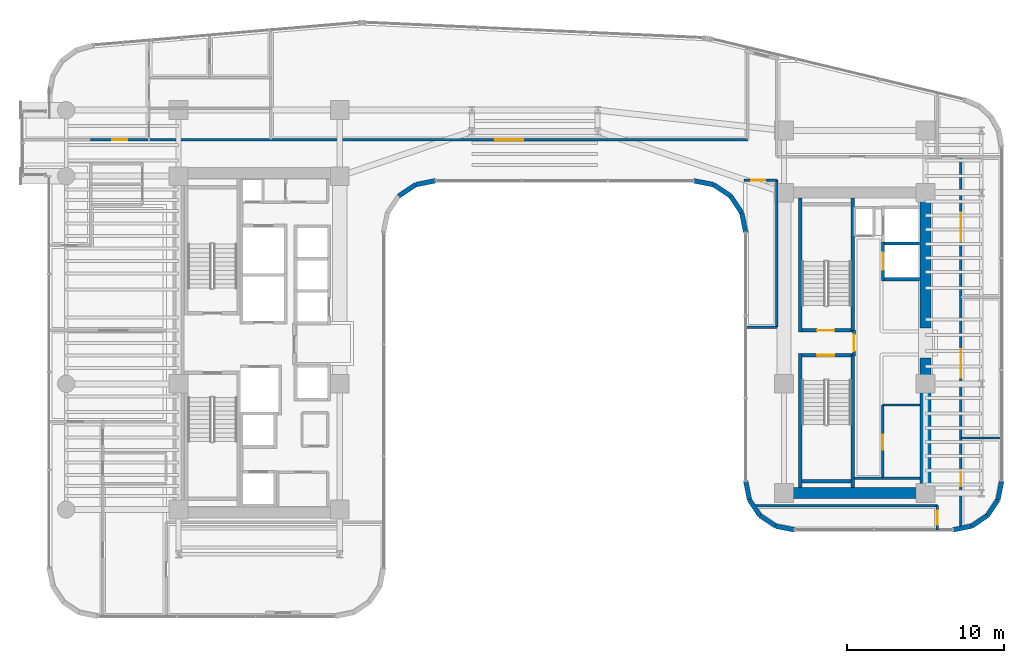
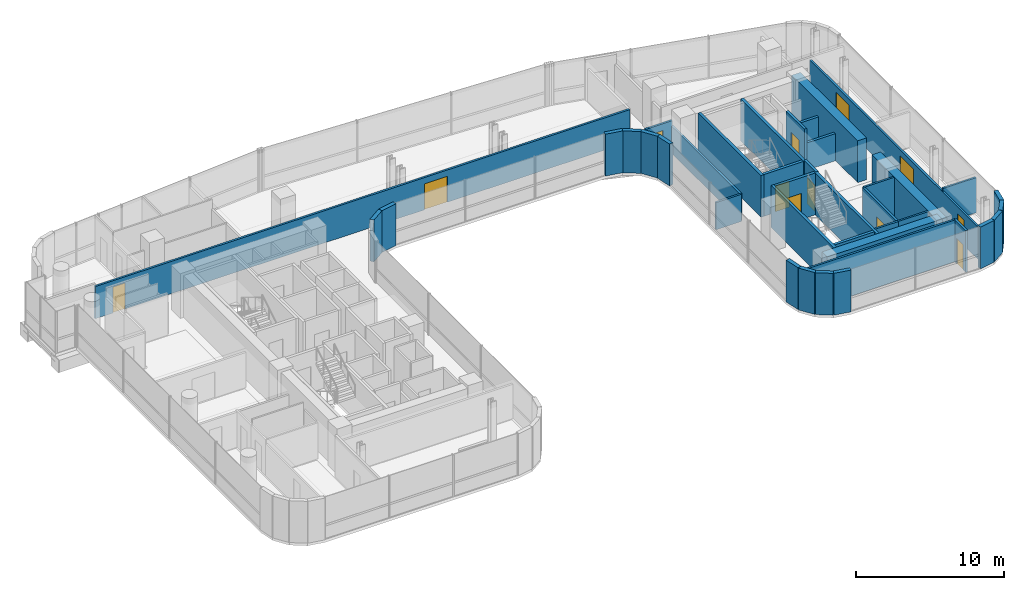
# One storey, part 29 of 35: 40 walls, 12 doors, 12 openings.
"""IFC4 building model written with IfcOpenShell, lengths in metres."""

from ifc_helpers import new_model, si_unit, direction, frame, frame_2d, origin, place, context, subcontext, project, spatial, rectangle, extrude, material, layer, layer_set, type_object, element, fill, save


model = new_model("IFC4")

# Units and contexts
model_context = context("Model", 3, precision=1e-05, world=origin(), true_north=direction((0.0, 1.0)))
body_context = subcontext(model_context, "Body", "Model", "MODEL_VIEW")
ifc_project = project(units=[si_unit("LENGTHUNIT", "METRE"), si_unit("AREAUNIT", "SQUARE_METRE"), si_unit("VOLUMEUNIT", "CUBIC_METRE"), si_unit("PLANEANGLEUNIT", "RADIAN"), si_unit("MASSUNIT", "GRAM", prefix="KILO")], contexts=[model_context])

# Site, building, storey
site_placement = place(None, origin())
site = spatial("IfcSite", under=ifc_project, at=site_placement, CompositionType="ELEMENT")
building_placement = place(site_placement, origin())
building = spatial("IfcBuilding", under=site, at=building_placement, Name="Valdorenza Pilgrim Sanctuary Tower", CompositionType="ELEMENT")
storey_placement = place(building_placement, frame((0.0, 0.0, 150.10009765625)))
storey = spatial("IfcBuildingStorey", under=building, at=storey_placement, Name="L38", CompositionType="ELEMENT", Elevation=150.10009765625)

# Wall
ifc_material_1 = material(Name="Acoustic twin-stud gypsum partition", Category="gypsum")
ifc_layer_1 = layer(ifc_material_1, 0.159912109375, Name="Acoustic twin-stud gypsum partition")
ifc_layer_set_1 = layer_set([ifc_layer_1], Name="Acoustic twin-stud gypsum partition")
wall_type_1 = type_object("IfcWallType", Name="WAL-COR-160", PredefinedType="PARTITIONING", material=ifc_layer_set_1)
wall_1_placement = place(storey_placement, frame((20.300048828125, -8.60009765625, 0.0), z_axis=(0.0, 0.0, 1.0), x_axis=(1.0, 0.0, 0.0)))
element("IfcWall", 1, at=wall_1_placement, inside=storey, type_object=wall_type_1, Name="L38 Core B Lift Hall South End Wall", PredefinedType="PARTITIONING", context=body_context, shape_type="SweptSolid", body=[
    extrude(rectangle(XDim=1.820068359375, YDim=0.159912109375, at=frame_2d((0.91015625, 0.0))), origin(), (0.0, 0.0, 1.0), 3.4599609375),
])

# Wall, opening, door
wall_2_placement = place(storey_placement, frame((22.1201171875, -8.60009765625, 0.0), z_axis=(0.0, 0.0, 1.0), x_axis=(0.0, 1.0, 0.0)))
wall_2 = element("IfcWall", 2, at=wall_2_placement, inside=storey, type_object=wall_type_1, Name="L38 Core B Freed Shaft West Wall", PredefinedType="PARTITIONING", context=body_context, shape_type="SweptSolid", body=[
    extrude(rectangle(XDim=4.650146484375, YDim=0.159912109375, at=frame_2d((2.3251953125, 0.0))), origin(), (0.0, 0.0, 1.0), 3.4599609375),
])
opening_1_placement = place(wall_2_placement, frame((1.800048828125, 0.0, 0.0)))
opening_1 = element("IfcOpeningElement", 3, at=opening_1_placement, cuts=wall_2, Name="Opening DR-UN1", PredefinedType="OPENING", context=body_context, shape_type="SweptSolid", body=[
    extrude(rectangle(XDim=0.949951171875, YDim=2.14990234375, at=frame_2d((0.47509765625, 1.074951171875))), frame((0.0, 0.0947265625, 0.0), z_axis=(0.0, -1.0, 0.0), x_axis=(1.0, 0.0, 0.0)), (0.0, 0.0, 1.0), 0.189697265625),
])
ifc_material_2 = material(Name="Solid-core European oak timber", Category="wood")
door_type_1 = type_object("IfcDoorType", Name="DR-UNIT-950", OperationType="NOTDEFINED", PredefinedType="DOOR", material=ifc_material_2)
door_1_placement = place(opening_1_placement, origin())
door_1 = element("IfcDoor", 4, at=door_1_placement, inside=storey, type_object=door_type_1, Name="L38 East Core Linen Store Door", OperationType="SINGLE_SWING_RIGHT", OverallHeight=2.14990234375, OverallWidth=0.949951171875, PredefinedType="DOOR", context=body_context, shape_type="SweptSolid", body=[
    extrude(rectangle(XDim=0.949951171875, YDim=2.14990234375, at=frame_2d((0.47509765625, 1.074951171875))), frame((0.0, 0.02490234375, 0.0), z_axis=(0.0, -1.0, 0.0), x_axis=(1.0, 0.0, 0.0)), (0.0, 0.0, 1.0), 0.050048828125),
])
fill(opening_1, door_1)

# Wall, openings, doors
wall_3_placement = place(storey_placement, frame((-28.25, 12.919921875, 0.0), z_axis=(0.0, 0.0, 1.0), x_axis=(1.0, 0.0, 0.0)))
wall_3 = element("IfcWall", 5, at=wall_3_placement, inside=storey, type_object=wall_type_1, Name="L38 North Corridor Wall", PredefinedType="PARTITIONING", context=body_context, shape_type="SweptSolid", body=[
    extrude(rectangle(XDim=41.800048828125, YDim=0.159912109375, at=frame_2d((20.89990234375, 0.0))), origin(), (0.0, 0.0, 1.0), 2.666015625),
])
opening_2_placement = place(wall_3_placement, frame((1.383056640625, 0.0, 0.0)))
opening_2 = element("IfcOpeningElement", 6, at=opening_2_placement, cuts=wall_3, Name="Opening DR-UN1", PredefinedType="OPENING", context=body_context, shape_type="SweptSolid", body=[
    extrude(rectangle(XDim=0.949951171875, YDim=2.14990234375, at=frame_2d((0.47509765625, 1.074951171875))), frame((0.0, 0.0947265625, 0.0), z_axis=(0.0, -1.0, 0.0), x_axis=(1.0, 0.0, 0.0)), (0.0, 0.0, 1.0), 0.189697265625),
])
opening_3_placement = place(wall_3_placement, frame((25.72509765625, 0.0, 0.0)))
opening_3 = element("IfcOpeningElement", 7, at=opening_3_placement, cuts=wall_3, Name="Opening DR-HL1", PredefinedType="OPENING", context=body_context, shape_type="SweptSolid", body=[
    extrude(rectangle(XDim=1.800048828125, YDim=2.14990234375, at=frame_2d((0.89990234375, 1.074951171875))), frame((0.0, 0.0947265625, 0.0), z_axis=(0.0, -1.0, 0.0), x_axis=(1.0, 0.0, 0.0)), (0.0, 0.0, 1.0), 0.189697265625),
])
ifc_material_3 = material(Name="Acoustic oak and vision-glass double door", Category="glass")
door_type_2 = type_object("IfcDoorType", Name="DR-HALL-1800", OperationType="NOTDEFINED", PredefinedType="DOOR", material=ifc_material_3)
door_2_placement = place(opening_3_placement, frame((1.800048828125, 0.0, 0.0), z_axis=(0.0, 0.0, 1.0), x_axis=(-1.0, 0.0, 0.0)))
door_2 = element("IfcDoor", 8, at=door_2_placement, inside=storey, type_object=door_type_2, Name="L38 Sacred Archive Reading Library L38-N2 Door", OperationType="DOUBLE_DOOR_SINGLE_SWING", OverallHeight=2.14990234375, OverallWidth=1.800048828125, PredefinedType="DOOR", context=body_context, shape_type="SweptSolid", body=[
    extrude(rectangle(XDim=1.800048828125, YDim=2.14990234375, at=frame_2d((0.89990234375, 1.074951171875))), frame((0.0, 0.02490234375, 0.0), z_axis=(0.0, -1.0, 0.0), x_axis=(1.0, 0.0, 0.0)), (0.0, 0.0, 1.0), 0.050048828125),
])
fill(opening_3, door_2)
door_3_placement = place(opening_2_placement, origin())
door_3 = element("IfcDoor", 9, at=door_3_placement, inside=storey, type_object=door_type_1, Name="L38 North Grand Residence L38-N1 Entrance Door", OperationType="SINGLE_SWING_RIGHT", OverallHeight=2.14990234375, OverallWidth=0.949951171875, PredefinedType="DOOR", context=body_context, shape_type="SweptSolid", body=[
    extrude(rectangle(XDim=0.949951171875, YDim=2.14990234375, at=frame_2d((0.47509765625, 1.074951171875))), frame((0.0, 0.02490234375, 0.0), z_axis=(0.0, -1.0, 0.0), x_axis=(1.0, 0.0, 0.0)), (0.0, 0.0, 1.0), 0.050048828125),
])
fill(opening_2, door_3)

# Wall, opening, door
wall_4_placement = place(storey_placement, frame((25.60009765625, -11.889892578125, 0.0), z_axis=(0.0, 0.0, 1.0), x_axis=(0.0, 1.0, 0.0)))
wall_4 = element("IfcWall", 10, at=wall_4_placement, inside=storey, type_object=wall_type_1, Name="L38 Wing B South-East Wall", PredefinedType="PARTITIONING", context=body_context, shape_type="SweptSolid", body=[
    extrude(rectangle(XDim=1.539794921875, YDim=0.159912109375, at=frame_2d((0.77001953125, 0.0))), origin(), (0.0, 0.0, 1.0), 3.4599609375),
])
opening_4_placement = place(wall_4_placement, frame((0.320068359375, 0.0, 0.0)))
opening_4 = element("IfcOpeningElement", 11, at=opening_4_placement, cuts=wall_4, Name="Opening DR-RM1", PredefinedType="OPENING", context=body_context, shape_type="SweptSolid", body=[
    extrude(rectangle(XDim=0.89990234375, YDim=2.10009765625, at=frame_2d((0.449951171875, 1.050048828125))), frame((0.0, 0.0947265625, 0.0), z_axis=(0.0, -1.0, 0.0), x_axis=(1.0, 0.0, 0.0)), (0.0, 0.0, 1.0), 0.189697265625),
])
door_type_3 = type_object("IfcDoorType", Name="DR-ROOM-900", OperationType="NOTDEFINED", PredefinedType="DOOR", material=ifc_material_2)
door_4_placement = place(opening_4_placement, frame((0.89990234375, 0.0, 0.0), z_axis=(0.0, 0.0, 1.0), x_axis=(-1.0, 0.0, 0.0)))
door_4 = element("IfcDoor", 12, at=door_4_placement, inside=storey, type_object=door_type_3, Name="L38 Sacred Manuscript Archive L38-BS Door", OperationType="SINGLE_SWING_LEFT", OverallHeight=2.10009765625, OverallWidth=0.89990234375, PredefinedType="DOOR", context=body_context, shape_type="SweptSolid", body=[
    extrude(rectangle(XDim=0.89990234375, YDim=2.10009765625, at=frame_2d((0.449951171875, 1.050048828125))), frame((0.0, 0.02490234375, 0.0), z_axis=(0.0, -1.0, 0.0), x_axis=(1.0, 0.0, 0.0)), (0.0, 0.0, 1.0), 0.050048828125),
])
fill(opening_4, door_4)

# Wall
wall_5_placement = place(storey_placement, frame((14.043701171875, -10.35009765625, 0.0), z_axis=(0.0, 0.0, 1.0), x_axis=(1.0, 0.0, 0.0)))
element("IfcWall", 13, at=wall_5_placement, inside=storey, type_object=wall_type_1, Name="L38 Wing B South Closure", PredefinedType="PARTITIONING", context=body_context, shape_type="SweptSolid", body=[
    extrude(rectangle(XDim=11.556396484375, YDim=0.159912109375, at=frame_2d((5.7783203125, 0.0))), origin(), (0.0, 0.0, 1.0), 3.4599609375),
])

# Wall, openings, doors
wall_6_placement = place(storey_placement, frame((27.10009765625, -11.660888671875, 0.0), z_axis=(0.0, 0.0, 1.0), x_axis=(0.0, 1.0, 0.0)))
wall_6 = element("IfcWall", 14, at=wall_6_placement, inside=storey, type_object=wall_type_1, Name="L38 Wing B East Corridor Wall", PredefinedType="PARTITIONING", context=body_context, shape_type="SweptSolid", body=[
    extrude(rectangle(XDim=23.510986328125, YDim=0.159912109375, at=frame_2d((11.75537109375, 0.0))), origin(), (0.0, 0.0, 1.0), 2.666015625),
])
opening_5_placement = place(wall_6_placement, frame((2.56005859375, 0.0, 0.0)))
opening_5 = element("IfcOpeningElement", 15, at=opening_5_placement, cuts=wall_6, Name="Opening DR-RM1", PredefinedType="OPENING", context=body_context, shape_type="SweptSolid", body=[
    extrude(rectangle(XDim=0.89990234375, YDim=2.10009765625, at=frame_2d((0.449951171875, 1.050048828125))), frame((0.0, 0.0947265625, 0.0), z_axis=(0.0, -1.0, 0.0), x_axis=(1.0, 0.0, 0.0)), (0.0, 0.0, 1.0), 0.189697265625),
])
opening_6_placement = place(wall_6_placement, frame((9.450927734375, 0.0, 0.0)))
opening_6 = element("IfcOpeningElement", 16, at=opening_6_placement, cuts=wall_6, Name="Opening DR-HL1", PredefinedType="OPENING", context=body_context, shape_type="SweptSolid", body=[
    extrude(rectangle(XDim=1.800048828125, YDim=2.14990234375, at=frame_2d((0.89990234375, 1.074951171875))), frame((0.0, 0.0947265625, 0.0), z_axis=(0.0, -1.0, 0.0), x_axis=(1.0, 0.0, 0.0)), (0.0, 0.0, 1.0), 0.189697265625),
])
opening_7_placement = place(wall_6_placement, frame((18.135986328125, 0.0, 0.0)))
opening_7 = element("IfcOpeningElement", 17, at=opening_7_placement, cuts=wall_6, Name="Opening DR-HL1", PredefinedType="OPENING", context=body_context, shape_type="SweptSolid", body=[
    extrude(rectangle(XDim=1.800048828125, YDim=2.14990234375, at=frame_2d((0.89990234375, 1.074951171875))), frame((0.0, 0.0947265625, 0.0), z_axis=(0.0, -1.0, 0.0), x_axis=(1.0, 0.0, 0.0)), (0.0, 0.0, 1.0), 0.189697265625),
])
door_5_placement = place(opening_6_placement, origin())
door_5 = element("IfcDoor", 18, at=door_5_placement, inside=storey, type_object=door_type_2, Name="L38 East Reading Lounge L38-EB2 Door", OperationType="DOUBLE_DOOR_SINGLE_SWING", OverallHeight=2.14990234375, OverallWidth=1.800048828125, PredefinedType="DOOR", context=body_context, shape_type="SweptSolid", body=[
    extrude(rectangle(XDim=1.800048828125, YDim=2.14990234375, at=frame_2d((0.89990234375, 1.074951171875))), frame((0.0, 0.02490234375, 0.0), z_axis=(0.0, -1.0, 0.0), x_axis=(1.0, 0.0, 0.0)), (0.0, 0.0, 1.0), 0.050048828125),
])
fill(opening_6, door_5)
door_6_placement = place(opening_7_placement, frame((1.800048828125, 0.0, 0.0), z_axis=(0.0, 0.0, 1.0), x_axis=(-1.0, 0.0, 0.0)))
door_6 = element("IfcDoor", 19, at=door_6_placement, inside=storey, type_object=door_type_2, Name="L38 East Reading Lounge L38-EB3 Door", OperationType="DOUBLE_DOOR_SINGLE_SWING", OverallHeight=2.14990234375, OverallWidth=1.800048828125, PredefinedType="DOOR", context=body_context, shape_type="SweptSolid", body=[
    extrude(rectangle(XDim=1.800048828125, YDim=2.14990234375, at=frame_2d((0.89990234375, 1.074951171875))), frame((0.0, 0.02490234375, 0.0), z_axis=(0.0, -1.0, 0.0), x_axis=(1.0, 0.0, 0.0)), (0.0, 0.0, 1.0), 0.050048828125),
])
fill(opening_7, door_6)
door_7_placement = place(opening_5_placement, frame((0.89990234375, 0.0, 0.0), z_axis=(0.0, 0.0, 1.0), x_axis=(-1.0, 0.0, 0.0)))
door_7 = element("IfcDoor", 20, at=door_7_placement, inside=storey, type_object=door_type_3, Name="L38 East Reading Lounge L38-EB1 Door", OperationType="SINGLE_SWING_LEFT", OverallHeight=2.10009765625, OverallWidth=0.89990234375, PredefinedType="DOOR", context=body_context, shape_type="SweptSolid", body=[
    extrude(rectangle(XDim=0.89990234375, YDim=2.10009765625, at=frame_2d((0.449951171875, 1.050048828125))), frame((0.0, 0.02490234375, 0.0), z_axis=(0.0, -1.0, 0.0), x_axis=(1.0, 0.0, 0.0)), (0.0, 0.0, 1.0), 0.050048828125),
])
fill(opening_5, door_7)

# Wall, opening, door
wall_7_placement = place(storey_placement, frame((13.300048828125, 10.35009765625, 0.0), z_axis=(0.0, 0.0, 1.0), x_axis=(1.0, 0.0, 0.0)))
wall_7 = element("IfcWall", 21, at=wall_7_placement, inside=storey, type_object=wall_type_1, Name="L38 Courtyard Overlook North Wall", PredefinedType="PARTITIONING", context=body_context, shape_type="SweptSolid", body=[
    extrude(rectangle(XDim=2.099853515625, YDim=0.159912109375, at=frame_2d((1.0498046875, 0.0))), origin(), (0.0, 0.0, 1.0), 2.666015625),
])
opening_8_placement = place(wall_7_placement, frame((0.449951171875, 0.0, 0.0)))
opening_8 = element("IfcOpeningElement", 22, at=opening_8_placement, cuts=wall_7, Name="Opening DR-RM1", PredefinedType="OPENING", context=body_context, shape_type="SweptSolid", body=[
    extrude(rectangle(XDim=0.89990234375, YDim=2.10009765625, at=frame_2d((0.449951171875, 1.050048828125))), frame((0.0, 0.0947265625, 0.0), z_axis=(0.0, -1.0, 0.0), x_axis=(1.0, 0.0, 0.0)), (0.0, 0.0, 1.0), 0.189697265625),
])
door_8_placement = place(opening_8_placement, origin())
door_8 = element("IfcDoor", 23, at=door_8_placement, inside=storey, type_object=door_type_3, Name="L38 Courtyard Overlook Salon Door", OperationType="SINGLE_SWING_RIGHT", OverallHeight=2.10009765625, OverallWidth=0.89990234375, PredefinedType="DOOR", context=body_context, shape_type="SweptSolid", body=[
    extrude(rectangle(XDim=0.89990234375, YDim=2.10009765625, at=frame_2d((0.449951171875, 1.050048828125))), frame((0.0, 0.02490234375, 0.0), z_axis=(0.0, -1.0, 0.0), x_axis=(1.0, 0.0, 0.0)), (0.0, 0.0, 1.0), 0.050048828125),
])
fill(opening_8, door_8)

# Walls
wall_8_placement = place(storey_placement, frame((15.39990234375, 1.0, 0.0), z_axis=(0.0, 0.0, 1.0), x_axis=(0.0, 1.0, 0.0)))
element("IfcWall", 24, at=wall_8_placement, inside=storey, type_object=wall_type_1, Name="L38 Courtyard Overlook East Wall", PredefinedType="PARTITIONING", context=body_context, shape_type="SweptSolid", body=[
    extrude(rectangle(XDim=9.35009765625, YDim=0.159912109375, at=frame_2d((4.675048828125, 0.0))), origin(), (0.0, 0.0, 1.0), 2.244873046875),
])
wall_9_placement = place(storey_placement, frame((13.409912109375, 1.0, 0.0), z_axis=(0.0, 0.0, 1.0), x_axis=(1.0, 0.0, 0.0)))
element("IfcWall", 25, at=wall_9_placement, inside=storey, type_object=wall_type_1, Name="L38 Courtyard Overlook South Wall", PredefinedType="PARTITIONING", context=body_context, shape_type="SweptSolid", body=[
    extrude(rectangle(XDim=1.989990234375, YDim=0.159912109375, at=frame_2d((0.9951171875, 0.0))), origin(), (0.0, 0.0, 1.0), 2.244873046875),
])
ifc_material_4 = material(Name="Concrete C60/75", Category="concrete")
ifc_layer_2 = layer(ifc_material_4, 0.699951171875, Name="Concrete C60/75")
ifc_layer_set_2 = layer_set([ifc_layer_2], Name="Concrete C60/75")
wall_type_2 = type_object("IfcWallType", Name="WAL-COR-700", PredefinedType="SHEAR", material=ifc_layer_set_2)
for number, where, z_axis, x_axis, name in (
    (26, (24.85009765625, -9.89990234375, 0.0), (0.0, 0.0, 1.0), (0.0, 1.0, 0.0), "L38 Split Core B Shear Wall ES"),
    (27, (24.85009765625, 0.949951171875, 0.0), (0.0, 0.0, 1.0), (0.0, 1.0, 0.0), "L38 Split Core B Shear Wall EN"),
):
    element("IfcWall", number, at=place(storey_placement, frame(where, z_axis=z_axis, x_axis=x_axis)), inside=storey, type_object=wall_type_2, Name=name, PredefinedType="SHEAR", context=body_context, shape_type="SweptSolid", body=[
        extrude(rectangle(XDim=8.949951171875, YDim=0.699951171875, at=frame_2d((4.47509765625, 0.0))), origin(), (0.0, 0.0, 1.0), 3.4599609375),
    ])
wall_10_placement = place(storey_placement, frame((15.85009765625, -9.550048828125, 0.0), z_axis=(0.0, 0.0, 1.0), x_axis=(1.0, 0.0, 0.0)))
element("IfcWall", 28, at=wall_10_placement, inside=storey, type_object=wall_type_2, Name="L38 Split Core B Shear Wall S", PredefinedType="SHEAR", context=body_context, shape_type="SweptSolid", body=[
    extrude(rectangle(XDim=9.0, YDim=0.699951171875, at=frame_2d((4.5, 0.0))), origin(), (0.0, 0.0, 1.0), 3.4599609375),
])
ifc_material_5 = material(Name="Honed travertine limestone", Category="masonry")
ifc_layer_3 = layer(ifc_material_5, 0.300048828125, Name="Honed travertine limestone")
ifc_layer_set_3 = layer_set([ifc_layer_3], Name="Honed travertine limestone")
wall_type_3 = type_object("IfcWallType", Name="WAL-EXT-300", PredefinedType="SOLIDWALL", material=ifc_layer_set_3)
wall_11_placement = place(storey_placement, frame((29.68994140625, -8.789306640625, 0.0), z_axis=(0.0, 0.0, 1.0), x_axis=(-0.194996050505, -0.980804027463, 0.0)))
element("IfcWall", 29, at=wall_11_placement, inside=storey, type_object=wall_type_3, Name="L38 Rounded Wind-Corner Stone Pier 22", PredefinedType="SOLIDWALL", context=body_context, shape_type="SweptSolid", body=[
    extrude(rectangle(XDim=1.2158203125, YDim=0.300048828125, at=frame_2d((0.60791015625, 0.0))), origin(), (0.0, 0.0, 1.0), 3.4599609375),
])
for number, where, z_axis, x_axis, name in (
    (30, (29.452880859375, -9.981689453125, 0.0), (0.0, 0.0, 1.0), (-0.555635100982, -0.831426265255, 0.0), "L38 Rounded Wind-Corner Stone Pier 23"),
    (31, (28.783447265625, -10.9833984375, 0.0), (0.0, 0.0, 1.0), (-0.831426265255, -0.555635100982, 0.0), "L38 Rounded Wind-Corner Stone Pier 24"),
):
    element("IfcWall", number, at=place(storey_placement, frame(where, z_axis=z_axis, x_axis=x_axis)), inside=storey, type_object=wall_type_3, Name=name, PredefinedType="SOLIDWALL", context=body_context, shape_type="SweptSolid", body=[
        extrude(rectangle(XDim=1.204833984375, YDim=0.300048828125, at=frame_2d((0.6025390625, 0.0))), origin(), (0.0, 0.0, 1.0), 3.4599609375),
    ])
wall_12_placement = place(storey_placement, frame((27.78173828125, -11.65283203125, 0.0), z_axis=(0.0, 0.0, 1.0), x_axis=(-0.980811661072, -0.194957650543, 0.0)))
element("IfcWall", 32, at=wall_12_placement, inside=storey, type_object=wall_type_3, Name="L38 Rounded Wind-Corner Stone Pier 25", PredefinedType="SOLIDWALL", context=body_context, shape_type="SweptSolid", body=[
    extrude(rectangle(XDim=1.216064453125, YDim=0.300048828125, at=frame_2d((0.60791015625, 0.0))), origin(), (0.0, 0.0, 1.0), 3.4599609375),
])
wall_13_placement = place(storey_placement, frame((16.5107421875, -11.889892578125, 0.0), z_axis=(0.0, 0.0, 1.0), x_axis=(-0.980804027463, 0.194996050505, 0.0)))
element("IfcWall", 33, at=wall_13_placement, inside=storey, type_object=wall_type_3, Name="L38 Rounded Wind-Corner Stone Pier 27", PredefinedType="SOLIDWALL", context=body_context, shape_type="SweptSolid", body=[
    extrude(rectangle(XDim=1.2158203125, YDim=0.300048828125, at=frame_2d((0.60791015625, 0.0))), origin(), (0.0, 0.0, 1.0), 3.4599609375),
])
for number, where, z_axis, x_axis, name in (
    (34, (15.318359375, -11.65283203125, 0.0), (0.0, 0.0, 1.0), (-0.831426265255, 0.555635100982, 0.0), "L38 Rounded Wind-Corner Stone Pier 28"),
    (35, (14.316650390625, -10.9833984375, 0.0), (0.0, 0.0, 1.0), (-0.555635100982, 0.831426265255, 0.0), "L38 Rounded Wind-Corner Stone Pier 29"),
):
    element("IfcWall", number, at=place(storey_placement, frame(where, z_axis=z_axis, x_axis=x_axis)), inside=storey, type_object=wall_type_3, Name=name, PredefinedType="SOLIDWALL", context=body_context, shape_type="SweptSolid", body=[
        extrude(rectangle(XDim=1.204833984375, YDim=0.300048828125, at=frame_2d((0.6025390625, 0.0))), origin(), (0.0, 0.0, 1.0), 3.4599609375),
    ])
wall_14_placement = place(storey_placement, frame((13.647216796875, -9.981689453125, 0.0), z_axis=(0.0, 0.0, 1.0), x_axis=(-0.195189223115, 0.980765602568, 0.0)))
element("IfcWall", 36, at=wall_14_placement, inside=storey, type_object=wall_type_3, Name="L38 Rounded Wind-Corner Stone Pier 30", PredefinedType="SOLIDWALL", context=body_context, shape_type="SweptSolid", body=[
    extrude(rectangle(XDim=1.2158203125, YDim=0.300048828125, at=frame_2d((0.60791015625, 0.0))), origin(), (0.0, 0.0, 1.0), 3.4599609375),
])
wall_15_placement = place(storey_placement, frame((13.409912109375, 7.0107421875, 0.0), z_axis=(0.0, 0.0, 1.0), x_axis=(-0.195090163074, 0.980785312019, 0.0)))
element("IfcWall", 37, at=wall_15_placement, inside=storey, type_object=wall_type_3, Name="L38 Rounded Wind-Corner Stone Pier 32", PredefinedType="SOLIDWALL", context=body_context, shape_type="SweptSolid", body=[
    extrude(rectangle(XDim=1.281494140625, YDim=0.300048828125, at=frame_2d((0.640625, 0.0))), origin(), (0.0, 0.0, 1.0), 3.4599609375),
])
for number, where, z_axis, x_axis, name in (
    (38, (13.159912109375, 8.267578125, 0.0), (0.0, 0.0, 1.0), (-0.555615398575, 0.831439431869, 0.0), "L38 Rounded Wind-Corner Stone Pier 33"),
    (39, (12.44189453125, 9.342041015625, 0.0), (0.0, 0.0, 1.0), (-0.831439431869, 0.555615398575, 0.0), "L38 Rounded Wind-Corner Stone Pier 34"),
):
    element("IfcWall", number, at=place(storey_placement, frame(where, z_axis=z_axis, x_axis=x_axis)), inside=storey, type_object=wall_type_3, Name=name, PredefinedType="SOLIDWALL", context=body_context, shape_type="SweptSolid", body=[
        extrude(rectangle(XDim=1.292236328125, YDim=0.300048828125, at=frame_2d((0.64599609375, 0.0))), origin(), (0.0, 0.0, 1.0), 3.4599609375),
    ])
for number, where, z_axis, x_axis, name in (
    (40, (11.367431640625, 10.06005859375, 0.0), (0.0, 0.0, 1.0), (-0.980778058848, 0.195126623715, 0.0), "L38 Rounded Wind-Corner Stone Pier 35"),
    (41, (-6.310791015625, 10.31005859375, 0.0), (0.0, 0.0, 1.0), (-0.980778058848, -0.195126623715, 0.0), "L38 Rounded Wind-Corner Stone Pier 37"),
):
    element("IfcWall", number, at=place(storey_placement, frame(where, z_axis=z_axis, x_axis=x_axis)), inside=storey, type_object=wall_type_3, Name=name, PredefinedType="SOLIDWALL", context=body_context, shape_type="SweptSolid", body=[
        extrude(rectangle(XDim=1.28125, YDim=0.300048828125, at=frame_2d((0.640625, 0.0))), origin(), (0.0, 0.0, 1.0), 3.4599609375),
    ])
wall_16_placement = place(storey_placement, frame((-7.5673828125, 10.06005859375, 0.0), z_axis=(0.0, 0.0, 1.0), x_axis=(-0.831497739511, -0.555528135371, 0.0)))
element("IfcWall", 42, at=wall_16_placement, inside=storey, type_object=wall_type_3, Name="L38 Rounded Wind-Corner Stone Pier 38", PredefinedType="SOLIDWALL", context=body_context, shape_type="SweptSolid", body=[
    extrude(rectangle(XDim=1.29248046875, YDim=0.300048828125, at=frame_2d((0.646240234375, 0.0))), origin(), (0.0, 0.0, 1.0), 3.4599609375),
])

# Wall, opening, door
ifc_material_6 = material(Name="Gypsum shaftwall partition", Category="gypsum")
ifc_layer_4 = layer(ifc_material_6, 0.199951171875, Name="Gypsum shaftwall partition")
ifc_layer_set_4 = layer_set([ifc_layer_4], Name="Gypsum shaftwall partition")
wall_type_4 = type_object("IfcWallType", Name="WAL-FFL-200", PredefinedType="PARTITIONING", material=ifc_layer_set_4)
wall_17_placement = place(storey_placement, frame((20.300048828125, -0.820068359375, 0.0), z_axis=(0.0, 0.0, 1.0), x_axis=(0.0, 1.0, 0.0)))
wall_17 = element("IfcWall", 43, at=wall_17_placement, inside=storey, type_object=wall_type_4, Name="L38 Core B Firefighting Lobby East Wall", PredefinedType="PARTITIONING", context=body_context, shape_type="SweptSolid", body=[
    extrude(rectangle(XDim=1.64013671875, YDim=0.199951171875, at=frame_2d((0.820068359375, 0.0))), origin(), (0.0, 0.0, 1.0), 3.4599609375),
])
opening_9_placement = place(wall_17_placement, frame((0.294921875, 0.0, 0.0)))
opening_9 = element("IfcOpeningElement", 44, at=opening_9_placement, cuts=wall_17, Name="Opening DR-FL1", PredefinedType="OPENING", context=body_context, shape_type="SweptSolid", body=[
    extrude(rectangle(XDim=1.050048828125, YDim=2.14990234375, at=frame_2d((0.52490234375, 1.074951171875))), frame((0.0, 0.11474609375, 0.0), z_axis=(0.0, -1.0, 0.0), x_axis=(1.0, 0.0, 0.0)), (0.0, 0.0, 1.0), 0.229736328125),
])
ifc_material_7 = material(Name="Painted galvanized steel", Category="steel")
door_type_4 = type_object("IfcDoorType", Name="DR-FFL-1050", OperationType="NOTDEFINED", PredefinedType="DOOR", material=ifc_material_7)
door_9_placement = place(opening_9_placement, origin())
door_9 = element("IfcDoor", 45, at=door_9_placement, inside=storey, type_object=door_type_4, Name="L38 Core B Firefighting Lobby Door", OperationType="SINGLE_SWING_RIGHT", OverallHeight=2.14990234375, OverallWidth=1.050048828125, PredefinedType="DOOR", context=body_context, shape_type="SweptSolid", body=[
    extrude(rectangle(XDim=1.050048828125, YDim=2.14990234375, at=frame_2d((0.52490234375, 1.074951171875))), frame((0.0, 0.02490234375, 0.0), z_axis=(0.0, -1.0, 0.0), x_axis=(1.0, 0.0, 0.0)), (0.0, 0.0, 1.0), 0.050048828125),
])
fill(opening_9, door_9)

ifc_material_8 = material(Name="Autoclaved aerated concrete blockwork", Category="masonry")
ifc_layer_5 = layer(ifc_material_8, 0.199951171875, Name="Autoclaved aerated concrete blockwork")
ifc_layer_set_5 = layer_set([ifc_layer_5], Name="Autoclaved aerated concrete blockwork")
wall_type_5 = type_object("IfcWallType", Name="WAL-SHF-200", PredefinedType="MOVABLE", material=ifc_layer_set_5)
wall_18_placement = place(storey_placement, frame((22.14990234375, 3.949951171875, 0.0), z_axis=(0.0, 0.0, 1.0), x_axis=(0.0, 1.0, 0.0)))
wall_18 = element("IfcWall", 46, at=wall_18_placement, inside=storey, type_object=wall_type_5, Name="L38 Lift PL-07 Hoistway Wall West", PredefinedType="MOVABLE", context=body_context, shape_type="SweptSolid", body=[
    extrude(rectangle(XDim=2.47509765625, YDim=0.199951171875, at=frame_2d((1.237548828125, 0.0))), origin(), (0.0, 0.0, 1.0), 3.4599609375),
])
opening_10_placement = place(wall_18_placement, frame((0.6875, 0.0, 0.0)))
opening_10 = element("IfcOpeningElement", 47, at=opening_10_placement, cuts=wall_18, Name="Opening LD-01", PredefinedType="OPENING", context=body_context, shape_type="SweptSolid", body=[
    extrude(rectangle(XDim=1.10009765625, YDim=2.10009765625, at=frame_2d((0.550048828125, 1.050048828125))), frame((0.0, 0.11474609375, 0.0), z_axis=(0.0, -1.0, 0.0), x_axis=(1.0, 0.0, 0.0)), (0.0, 0.0, 1.0), 0.229736328125),
])
ifc_material_9 = material(Name="Brushed stainless steel Grade 316", Category="steel")
door_type_5 = type_object("IfcDoorType", Name="DR-LFT-1100", OperationType="DOUBLE_DOOR_SLIDING", PredefinedType="DOOR", material=ifc_material_9)
door_10_placement = place(opening_10_placement, origin())
door_10 = element("IfcDoor", 48, at=door_10_placement, inside=storey, type_object=door_type_5, Name="L38 Lift PL-07 Sliding Landing Door", OperationType="DOUBLE_DOOR_SLIDING", OverallHeight=2.10009765625, OverallWidth=1.10009765625, PredefinedType="DOOR", context=body_context, shape_type="SweptSolid", body=[
    extrude(rectangle(XDim=1.10009765625, YDim=2.10009765625, at=frame_2d((0.550048828125, 1.050048828125))), frame((0.0, 0.02490234375, 0.0), z_axis=(0.0, -1.0, 0.0), x_axis=(1.0, 0.0, 0.0)), (0.0, 0.0, 1.0), 0.050048828125),
])
fill(opening_10, door_10)

# Walls
for number, where, z_axis, x_axis, name in (
    (49, (22.25, 4.050048828125, 0.0), (0.0, 0.0, 1.0), (1.0, 0.0, 0.0), "L38 Lift PL-07 Hoistway Wall South"),
    (50, (22.25, 6.324951171875, 0.0), (0.0, 0.0, 1.0), (1.0, 0.0, 0.0), "L38 Lift PL-07 Hoistway Wall North"),
):
    element("IfcWall", number, at=place(storey_placement, frame(where, z_axis=z_axis, x_axis=x_axis)), inside=storey, type_object=wall_type_5, Name=name, PredefinedType="MOVABLE", context=body_context, shape_type="SweptSolid", body=[
        extrude(rectangle(XDim=2.22998046875, YDim=0.199951171875, at=frame_2d((1.114990234375, 0.0))), origin(), (0.0, 0.0, 1.0), 2.244873046875),
    ])
ifc_material_10 = material(Name="Concrete C40/50", Category="concrete")
ifc_layer_6 = layer(ifc_material_10, 0.219970703125, Name="Concrete C40/50")
ifc_layer_set_6 = layer_set([ifc_layer_6], Name="Concrete C40/50")
wall_type_6 = type_object("IfcWallType", Name="WAL-STR-SHF-220", PredefinedType="SHEAR", material=ifc_layer_set_6)
for number, where, z_axis, x_axis, name in (
    (51, (16.889892578125, 0.679931640625, 0.0), (0.0, 0.0, 1.0), (0.0, 1.0, 0.0), "L38 ST-B1 Structural Stairwell Wall W"),
    (52, (20.219970703125, 0.679931640625, 0.0), (0.0, 0.0, 1.0), (0.0, 1.0, 0.0), "L38 ST-B1 Structural Stairwell Wall E"),
):
    element("IfcWall", number, at=place(storey_placement, frame(where, z_axis=z_axis, x_axis=x_axis)), inside=storey, type_object=wall_type_6, Name=name, PredefinedType="SHEAR", context=body_context, shape_type="SweptSolid", body=[
        extrude(rectangle(XDim=8.52001953125, YDim=0.219970703125, at=frame_2d((4.260009765625, 0.0))), origin(), (0.0, 0.0, 1.0), 3.4599609375),
    ])

# Wall, opening, door
wall_19_placement = place(storey_placement, frame((17.0, 0.7900390625, 0.0), z_axis=(0.0, 0.0, 1.0), x_axis=(1.0, 0.0, 0.0)))
wall_19 = element("IfcWall", 53, at=wall_19_placement, inside=storey, type_object=wall_type_6, Name="L38 ST-B1 Structural Stairwell Wall S", PredefinedType="SHEAR", context=body_context, shape_type="SweptSolid", body=[
    extrude(rectangle(XDim=3.110107421875, YDim=0.219970703125, at=frame_2d((1.55517578125, 0.0))), origin(), (0.0, 0.0, 1.0), 3.4599609375),
])
opening_11_placement = place(wall_19_placement, frame((0.949951171875, 0.0, 0.0)))
opening_11 = element("IfcOpeningElement", 54, at=opening_11_placement, cuts=wall_19, Name="Opening DR-ST1", PredefinedType="OPENING", context=body_context, shape_type="SweptSolid", body=[
    extrude(rectangle(XDim=1.10009765625, YDim=2.14990234375, at=frame_2d((0.550048828125, 1.074951171875))), frame((0.0, 0.125, 0.0), z_axis=(0.0, -1.0, 0.0), x_axis=(1.0, 0.0, 0.0)), (0.0, 0.0, 1.0), 0.249755859375),
])
door_type_6 = type_object("IfcDoorType", Name="DR-STAIR-1100", OperationType="NOTDEFINED", PredefinedType="DOOR", material=ifc_material_7)
door_11_placement = place(opening_11_placement, frame((1.10009765625, 0.0, 0.0), z_axis=(0.0, 0.0, 1.0), x_axis=(-1.0, 0.0, 0.0)))
door_11 = element("IfcDoor", 55, at=door_11_placement, inside=storey, type_object=door_type_6, Name="L38 Exit Stair ST-B1 Door", OperationType="SINGLE_SWING_LEFT", OverallHeight=2.14990234375, OverallWidth=1.10009765625, PredefinedType="DOOR", context=body_context, shape_type="SweptSolid", body=[
    extrude(rectangle(XDim=1.10009765625, YDim=2.14990234375, at=frame_2d((0.550048828125, 1.074951171875))), frame((0.0, 0.02490234375, 0.0), z_axis=(0.0, -1.0, 0.0), x_axis=(1.0, 0.0, 0.0)), (0.0, 0.0, 1.0), 0.050048828125),
])
fill(opening_11, door_11)

# Walls
for number, where, z_axis, x_axis, name in (
    (56, (16.889892578125, -9.199951171875, 0.0), (0.0, 0.0, 1.0), (0.0, 1.0, 0.0), "L38 ST-B2 Structural Stairwell Wall W"),
    (57, (20.219970703125, -9.199951171875, 0.0), (0.0, 0.0, 1.0), (0.0, 1.0, 0.0), "L38 ST-B2 Structural Stairwell Wall E"),
):
    element("IfcWall", number, at=place(storey_placement, frame(where, z_axis=z_axis, x_axis=x_axis)), inside=storey, type_object=wall_type_6, Name=name, PredefinedType="SHEAR", context=body_context, shape_type="SweptSolid", body=[
        extrude(rectangle(XDim=8.52001953125, YDim=0.219970703125, at=frame_2d((4.260009765625, 0.0))), origin(), (0.0, 0.0, 1.0), 3.4599609375),
    ])
wall_20_placement = place(storey_placement, frame((17.0, -8.81005859375, 0.0), z_axis=(0.0, 0.0, 1.0), x_axis=(1.0, 0.0, 0.0)))
element("IfcWall", 58, at=wall_20_placement, inside=storey, type_object=wall_type_6, Name="L38 ST-B2 Structural Stairwell Wall S", PredefinedType="SHEAR", context=body_context, shape_type="SweptSolid", body=[
    extrude(rectangle(XDim=3.110107421875, YDim=0.219970703125, at=frame_2d((1.55517578125, 0.0))), origin(), (0.0, 0.0, 1.0), 3.4599609375),
])

# Wall, opening, door
wall_21_placement = place(storey_placement, frame((17.0, -0.7900390625, 0.0), z_axis=(0.0, 0.0, 1.0), x_axis=(1.0, 0.0, 0.0)))
wall_21 = element("IfcWall", 59, at=wall_21_placement, inside=storey, type_object=wall_type_6, Name="L38 ST-B2 Structural Stairwell Wall N", PredefinedType="SHEAR", context=body_context, shape_type="SweptSolid", body=[
    extrude(rectangle(XDim=3.110107421875, YDim=0.219970703125, at=frame_2d((1.55517578125, 0.0))), origin(), (0.0, 0.0, 1.0), 3.4599609375),
])
opening_12_placement = place(wall_21_placement, frame((0.949951171875, 0.0, 0.0)))
opening_12 = element("IfcOpeningElement", 60, at=opening_12_placement, cuts=wall_21, Name="Opening DR-ST1", PredefinedType="OPENING", context=body_context, shape_type="SweptSolid", body=[
    extrude(rectangle(XDim=1.10009765625, YDim=2.14990234375, at=frame_2d((0.550048828125, 1.074951171875))), frame((0.0, 0.125, 0.0), z_axis=(0.0, -1.0, 0.0), x_axis=(1.0, 0.0, 0.0)), (0.0, 0.0, 1.0), 0.249755859375),
])
door_12_placement = place(opening_12_placement, origin())
door_12 = element("IfcDoor", 61, at=door_12_placement, inside=storey, type_object=door_type_6, Name="L38 Exit Stair ST-B2 Door", OperationType="SINGLE_SWING_RIGHT", OverallHeight=2.14990234375, OverallWidth=1.10009765625, PredefinedType="DOOR", context=body_context, shape_type="SweptSolid", body=[
    extrude(rectangle(XDim=1.10009765625, YDim=2.14990234375, at=frame_2d((0.550048828125, 1.074951171875))), frame((0.0, 0.02490234375, 0.0), z_axis=(0.0, -1.0, 0.0), x_axis=(1.0, 0.0, 0.0)), (0.0, 0.0, 1.0), 0.050048828125),
])
fill(opening_12, door_12)

# Walls
ifc_layer_7 = layer(ifc_material_1, 0.14990234375, Name="Acoustic twin-stud gypsum partition")
ifc_layer_set_7 = layer_set([ifc_layer_7], Name="Acoustic twin-stud gypsum partition")
wall_type_7 = type_object("IfcWallType", Name="WAL-UNT-150", PredefinedType="PARTITIONING", material=ifc_layer_set_7)
for number, where, z_axis, x_axis, name in (
    (62, (22.1201171875, -3.949951171875, 0.0), (0.0, 0.0, 1.0), (1.0, 0.0, 0.0), "L38 Core B Freed Shaft North Wall"),
    (63, (22.1201171875, -8.60009765625, 0.0), (0.0, 0.0, 1.0), (1.0, 0.0, 0.0), "L38 Core B Freed Shaft South Wall"),
):
    element("IfcWall", number, at=place(storey_placement, frame(where, z_axis=z_axis, x_axis=x_axis)), inside=storey, type_object=wall_type_7, Name=name, PredefinedType="PARTITIONING", context=body_context, shape_type="SweptSolid", body=[
        extrude(rectangle(XDim=2.3798828125, YDim=0.14990234375, at=frame_2d((1.18994140625, 0.0))), origin(), (0.0, 0.0, 1.0), 3.4599609375),
    ])
wall_22_placement = place(storey_placement, frame((27.10009765625, -6.050048828125, 0.0), z_axis=(0.0, 0.0, 1.0), x_axis=(1.0, 0.0, 0.0)))
element("IfcWall", 64, at=wall_22_placement, inside=storey, type_object=wall_type_7, Name="L38 East Reading Lounge L38-EB2 Demising Wall", PredefinedType="PARTITIONING", context=body_context, shape_type="SweptSolid", body=[
    extrude(rectangle(XDim=2.58984375, YDim=0.14990234375, at=frame_2d((1.294921875, 0.0))), origin(), (0.0, 0.0, 1.0), 2.89599609375),
])

save(model, "model.ifc")
